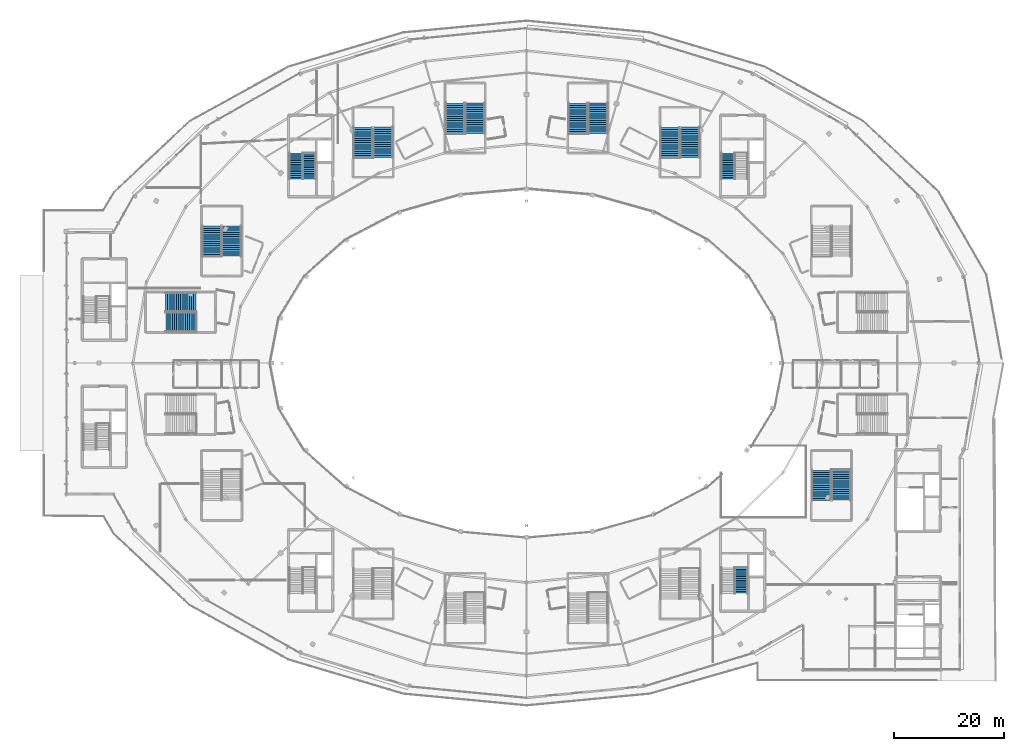
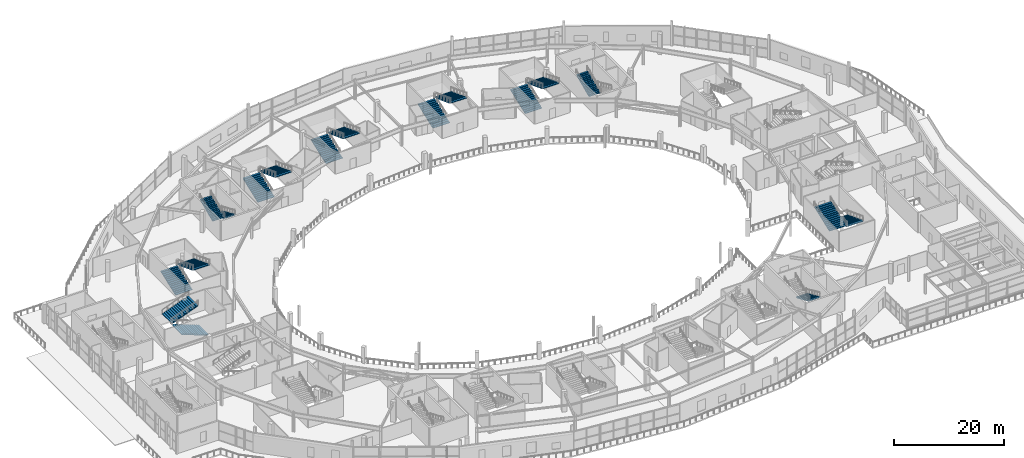
# One storey, part 96 of 123: 18 stair flights, 10 elements without a shape of their own.
"""IFC4 building model written with IfcOpenShell, lengths in metres."""

from ifc_helpers import new_model, si_unit, direction, frame, origin, place, context, subcontext, project, spatial, polyline, outline, extrude, material, type_object, element, aggregate, save


model = new_model("IFC4")

# Units and contexts
model_context = context("Model", 3, precision=1e-05, world=origin(), true_north=direction((0.0, 1.0)))
body_context = subcontext(model_context, "Body", "Model", "MODEL_VIEW")
ifc_project = project(units=[si_unit("LENGTHUNIT", "METRE"), si_unit("AREAUNIT", "SQUARE_METRE"), si_unit("VOLUMEUNIT", "CUBIC_METRE"), si_unit("PLANEANGLEUNIT", "RADIAN"), si_unit("MASSUNIT", "GRAM", prefix="KILO")], contexts=[model_context])

# Site, building, storey
site_placement = place(None, origin())
site = spatial("IfcSite", under=ifc_project, at=site_placement, CompositionType="ELEMENT")
building_placement = place(site_placement, origin())
building = spatial("IfcBuilding", under=site, at=building_placement, Name="Kalgoora Escarpment Arena", CompositionType="ELEMENT")
storey_placement = place(building_placement, frame((0.0, 0.0, 9.89990234375)))
storey = spatial("IfcBuildingStorey", under=building, at=storey_placement, Name="L02", CompositionType="ELEMENT", Elevation=9.89990234375)

# Stair, stair flight
ifc_material_1 = material(Name="Concrete N40 (fc' 40 MPa)", Category="concrete")
stair_type_1 = type_object("IfcStairType", Name="STR-EXIT-2", PredefinedType="HALF_TURN_STAIR", material=ifc_material_1)
stair_1_placement = place(storey_placement, origin())
stair_1 = element("IfcStair", 1, at=stair_1_placement, inside=storey, type_object=stair_type_1, Name="Fire-isolated exit stair ST06 (L02)", PredefinedType="HALF_TURN_STAIR")
ifc_material_2 = material(Name="Concrete N40 (fc' 40 MPa)", Category="concrete")
stair_flight_type_1 = type_object("IfcStairFlightType", Name="FLT-EXIT-2", PredefinedType="STRAIGHT", material=ifc_material_2)
stair_flight_1_placement = place(storey_placement, frame((131.5576171875, 26.72998046875, 0.0), z_axis=(0.0, 0.0, 1.0), x_axis=(0.0, -1.0, 0.0)))
stair_flight_1 = element("IfcStairFlight", 2, at=stair_flight_1_placement, type_object=stair_flight_type_1, Name="ST06 L02 lower flight", NumberOfRisers=15, NumberOfTreads=14, PredefinedType="STRAIGHT", RiserHeight=0.15, TreadLength=0.335, context=body_context, shape_type="SweptSolid", body=[
    extrude(outline(polyline([(0.0, 0.0), (0.0, 0.14990234375), (0.3349609375, 0.14990234375), (0.3349609375, 0.300048828125), (0.669921875, 0.300048828125), (0.669921875, 0.449951171875), (1.0048828125, 0.449951171875), (1.0048828125, 0.60009765625), (1.340087890625, 0.60009765625), (1.340087890625, 0.75), (1.675048828125, 0.75), (1.675048828125, 0.89990234375), (2.010009765625, 0.89990234375), (2.010009765625, 1.050048828125), (2.344970703125, 1.050048828125), (2.344970703125, 1.199951171875), (2.679931640625, 1.199951171875), (2.679931640625, 1.35009765625), (3.014892578125, 1.35009765625), (3.014892578125, 1.5), (3.35009765625, 1.5), (3.35009765625, 1.64990234375), (3.68505859375, 1.64990234375), (3.68505859375, 1.800048828125), (4.02001953125, 1.800048828125), (4.02001953125, 1.949951171875), (4.35498046875, 1.949951171875), (4.35498046875, 2.10009765625), (4.68994140625, 2.10009765625), (4.68994140625, 2.25), (4.68994140625, 1.913818359375), (0.415771484375, 0.0), (0.0, 0.0)])), frame((0.0, 1.1923828125, 0.0), z_axis=(0.0, -1.0, 0.0), x_axis=(1.0, 0.0, 0.0)), (0.0, 0.0, 1.0), 2.385009765625),
])
aggregate(stair_1, [stair_flight_1])

# Stair, stair flights
ifc_material_3 = material(Name="Concrete N40 (fc' 40 MPa)", Category="concrete")
stair_type_2 = type_object("IfcStairType", Name="STR-EXIT-3", PredefinedType="HALF_TURN_STAIR", material=ifc_material_3)
stair_2_placement = place(storey_placement, origin())
stair_2 = element("IfcStair", 3, at=stair_2_placement, inside=storey, type_object=stair_type_2, Name="Fire-isolated exit stair ST03 (L02)", PredefinedType="HALF_TURN_STAIR")
ifc_material_4 = material(Name="Concrete N40 (fc' 40 MPa)", Category="concrete")
stair_flight_type_2 = type_object("IfcStairFlightType", Name="FLT-EXIT-3", PredefinedType="STRAIGHT", material=ifc_material_4)
stair_flight_2_placement = place(storey_placement, frame((52.7548828125, 102.330078125, 0.0), z_axis=(0.0, 0.0, 1.0), x_axis=(0.0, -1.0, 0.0)))
stair_flight_2 = element("IfcStairFlight", 4, at=stair_flight_2_placement, type_object=stair_flight_type_2, Name="ST03 L02 lower flight", NumberOfRisers=15, NumberOfTreads=14, PredefinedType="STRAIGHT", RiserHeight=0.15, TreadLength=0.335, context=body_context, shape_type="SweptSolid", body=[
    extrude(outline(polyline([(0.0, 0.0), (0.0, 0.14990234375), (0.3349609375, 0.14990234375), (0.3349609375, 0.300048828125), (0.669921875, 0.300048828125), (0.669921875, 0.449951171875), (1.0048828125, 0.449951171875), (1.0048828125, 0.60009765625), (1.340087890625, 0.60009765625), (1.340087890625, 0.75), (1.675048828125, 0.75), (1.675048828125, 0.89990234375), (2.010009765625, 0.89990234375), (2.010009765625, 1.050048828125), (2.344970703125, 1.050048828125), (2.344970703125, 1.199951171875), (2.679931640625, 1.199951171875), (2.679931640625, 1.35009765625), (3.014892578125, 1.35009765625), (3.014892578125, 1.5), (3.35009765625, 1.5), (3.35009765625, 1.64990234375), (3.68505859375, 1.64990234375), (3.68505859375, 1.800048828125), (4.02001953125, 1.800048828125), (4.02001953125, 1.949951171875), (4.35498046875, 1.949951171875), (4.35498046875, 2.10009765625), (4.68994140625, 2.10009765625), (4.68994140625, 2.25), (4.68994140625, 1.913818359375), (0.415771484375, 0.0), (0.0, 0.0)])), frame((0.0, 1.19482421875, 0.0), z_axis=(0.0, -1.0, 0.0), x_axis=(1.0, 0.0, 0.0)), (0.0, 0.0, 1.0), 2.389892578125),
])
stair_flight_3_placement = place(storey_placement, frame((50.344970703125, 97.580078125, 2.25), z_axis=(0.0, 0.0, 1.0), x_axis=(0.0, 1.0, 0.0)))
stair_flight_3 = element("IfcStairFlight", 5, at=stair_flight_3_placement, type_object=stair_flight_type_2, Name="ST03 L02 upper flight", NumberOfRisers=15, NumberOfTreads=14, PredefinedType="STRAIGHT", RiserHeight=0.15, TreadLength=0.335, context=body_context, shape_type="SweptSolid", body=[
    extrude(outline(polyline([(0.0, 0.0), (0.0, 0.14990234375), (0.3349609375, 0.14990234375), (0.3349609375, 0.300048828125), (0.669921875, 0.300048828125), (0.669921875, 0.449951171875), (1.0048828125, 0.449951171875), (1.0048828125, 0.60009765625), (1.340087890625, 0.60009765625), (1.340087890625, 0.75), (1.675048828125, 0.75), (1.675048828125, 0.89990234375), (2.010009765625, 0.89990234375), (2.010009765625, 1.050048828125), (2.344970703125, 1.050048828125), (2.344970703125, 1.199951171875), (2.679931640625, 1.199951171875), (2.679931640625, 1.35009765625), (3.014892578125, 1.35009765625), (3.014892578125, 1.5), (3.35009765625, 1.5), (3.35009765625, 1.64990234375), (3.68505859375, 1.64990234375), (3.68505859375, 1.800048828125), (4.02001953125, 1.800048828125), (4.02001953125, 1.949951171875), (4.35498046875, 1.949951171875), (4.35498046875, 2.10009765625), (4.68994140625, 2.10009765625), (4.68994140625, 2.25), (4.68994140625, 1.913818359375), (0.415771484375, 0.0), (0.0, 0.0)])), frame((0.0, 1.19482421875, 0.0), z_axis=(0.0, -1.0, 0.0), x_axis=(1.0, 0.0, 0.0)), (0.0, 0.0, 1.0), 2.389892578125),
])
aggregate(stair_2, [stair_flight_2, stair_flight_3])

# Stair, stair flight
ifc_material_5 = material(Name="Concrete N40 (fc' 40 MPa)", Category="concrete")
stair_type_3 = type_object("IfcStairType", Name="STR-EXIT-4", PredefinedType="HALF_TURN_STAIR", material=ifc_material_5)
stair_3_placement = place(storey_placement, origin())
stair_3 = element("IfcStair", 6, at=stair_3_placement, inside=storey, type_object=stair_type_3, Name="Fire-isolated exit stair ST04 (L02)", PredefinedType="HALF_TURN_STAIR")
ifc_material_6 = material(Name="Concrete N40 (fc' 40 MPa)", Category="concrete")
stair_flight_type_3 = type_object("IfcStairFlightType", Name="FLT-EXIT-4", PredefinedType="STRAIGHT", material=ifc_material_6)
stair_flight_4_placement = place(storey_placement, frame((129.1474609375, 97.580078125, 2.25), z_axis=(0.0, 0.0, 1.0), x_axis=(0.0, 1.0, 0.0)))
stair_flight_4 = element("IfcStairFlight", 7, at=stair_flight_4_placement, type_object=stair_flight_type_3, Name="ST04 L02 upper flight", NumberOfRisers=15, NumberOfTreads=14, PredefinedType="STRAIGHT", RiserHeight=0.15, TreadLength=0.335, context=body_context, shape_type="SweptSolid", body=[
    extrude(outline(polyline([(0.0, 0.0), (0.0, 0.14990234375), (0.3349609375, 0.14990234375), (0.3349609375, 0.300048828125), (0.669921875, 0.300048828125), (0.669921875, 0.449951171875), (1.0048828125, 0.449951171875), (1.0048828125, 0.60009765625), (1.340087890625, 0.60009765625), (1.340087890625, 0.75), (1.675048828125, 0.75), (1.675048828125, 0.89990234375), (2.010009765625, 0.89990234375), (2.010009765625, 1.050048828125), (2.344970703125, 1.050048828125), (2.344970703125, 1.199951171875), (2.679931640625, 1.199951171875), (2.679931640625, 1.35009765625), (3.014892578125, 1.35009765625), (3.014892578125, 1.5), (3.35009765625, 1.5), (3.35009765625, 1.64990234375), (3.68505859375, 1.64990234375), (3.68505859375, 1.800048828125), (4.02001953125, 1.800048828125), (4.02001953125, 1.949951171875), (4.35498046875, 1.949951171875), (4.35498046875, 2.10009765625), (4.68994140625, 2.10009765625), (4.68994140625, 2.25), (4.68994140625, 1.913818359375), (0.415771484375, 0.0), (0.0, 0.0)])), frame((0.0, 1.197509765625, 0.0), z_axis=(0.0, -1.0, 0.0), x_axis=(1.0, 0.0, 0.0)), (0.0, 0.0, 1.0), 2.39501953125),
])
aggregate(stair_3, [stair_flight_4])

# Stair, stair flights
ifc_material_7 = material(Name="Precast concrete N50 (fc' 50 MPa)", Category="concrete")
stair_type_4 = type_object("IfcStairType", Name="STR-STAD-1", PredefinedType="HALF_TURN_STAIR", material=ifc_material_7)
stair_4_placement = place(storey_placement, origin())
stair_4 = element("IfcStair", 8, at=stair_4_placement, inside=storey, type_object=stair_type_4, Name="Fire-isolated exit stair ST09 (L02)", PredefinedType="HALF_TURN_STAIR")
ifc_material_8 = material(Name="Precast concrete N50 (fc' 50 MPa)", Category="concrete")
stair_flight_type_4 = type_object("IfcStairFlightType", Name="FLT-STAD-1", PredefinedType="STRAIGHT", material=ifc_material_8)
stair_flight_5_placement = place(storey_placement, frame((62.592529296875, 101.469970703125, 0.0), z_axis=(0.0, 0.0, 1.0), x_axis=(0.0, 1.0, 0.0)))
stair_flight_5 = element("IfcStairFlight", 9, at=stair_flight_5_placement, type_object=stair_flight_type_4, Name="ST09 L02 lower flight", NumberOfRisers=15, NumberOfTreads=14, PredefinedType="STRAIGHT", RiserHeight=0.15, TreadLength=0.395, context=body_context, shape_type="SweptSolid", body=[
    extrude(outline(polyline([(0.0, 0.0), (0.0, 0.14990234375), (0.39501953125, 0.14990234375), (0.39501953125, 0.300048828125), (0.7900390625, 0.300048828125), (0.7900390625, 0.449951171875), (1.18505859375, 0.449951171875), (1.18505859375, 0.60009765625), (1.580078125, 0.60009765625), (1.580078125, 0.75), (1.97509765625, 0.75), (1.97509765625, 0.89990234375), (2.3701171875, 0.89990234375), (2.3701171875, 1.050048828125), (2.764892578125, 1.050048828125), (2.764892578125, 1.199951171875), (3.159912109375, 1.199951171875), (3.159912109375, 1.35009765625), (3.554931640625, 1.35009765625), (3.554931640625, 1.5), (3.949951171875, 1.5), (3.949951171875, 1.64990234375), (4.344970703125, 1.64990234375), (4.344970703125, 1.800048828125), (4.739990234375, 1.800048828125), (4.739990234375, 1.949951171875), (5.135009765625, 1.949951171875), (5.135009765625, 2.10009765625), (5.530029296875, 2.10009765625), (5.530029296875, 2.25), (5.530029296875, 1.918212890625), (0.478759765625, 0.0), (0.0, 0.0)])), frame((0.0, 1.74267578125, 0.0), z_axis=(0.0, -1.0, 0.0), x_axis=(1.0, 0.0, 0.0)), (0.0, 0.0, 1.0), 3.485107421875),
])
stair_flight_6_placement = place(storey_placement, frame((66.20751953125, 107.06005859375, 2.25), z_axis=(0.0, 0.0, 1.0), x_axis=(0.0, -1.0, 0.0)))
stair_flight_6 = element("IfcStairFlight", 10, at=stair_flight_6_placement, type_object=stair_flight_type_4, Name="ST09 L02 upper flight", NumberOfRisers=15, NumberOfTreads=14, PredefinedType="STRAIGHT", RiserHeight=0.15, TreadLength=0.395, context=body_context, shape_type="SweptSolid", body=[
    extrude(outline(polyline([(0.0, 0.0), (0.0, 0.14990234375), (0.39501953125, 0.14990234375), (0.39501953125, 0.300048828125), (0.7900390625, 0.300048828125), (0.7900390625, 0.449951171875), (1.18505859375, 0.449951171875), (1.18505859375, 0.60009765625), (1.580078125, 0.60009765625), (1.580078125, 0.75), (1.97509765625, 0.75), (1.97509765625, 0.89990234375), (2.3701171875, 0.89990234375), (2.3701171875, 1.050048828125), (2.764892578125, 1.050048828125), (2.764892578125, 1.199951171875), (3.159912109375, 1.199951171875), (3.159912109375, 1.35009765625), (3.554931640625, 1.35009765625), (3.554931640625, 1.5), (3.949951171875, 1.5), (3.949951171875, 1.64990234375), (4.344970703125, 1.64990234375), (4.344970703125, 1.800048828125), (4.739990234375, 1.800048828125), (4.739990234375, 1.949951171875), (5.135009765625, 1.949951171875), (5.135009765625, 2.10009765625), (5.530029296875, 2.10009765625), (5.530029296875, 2.25), (5.530029296875, 1.918212890625), (0.478759765625, 0.0), (0.0, 0.0)])), frame((0.0, 1.74267578125, 0.0), z_axis=(0.0, -1.0, 0.0), x_axis=(1.0, 0.0, 0.0)), (0.0, 0.0, 1.0), 3.485107421875),
])
aggregate(stair_4, [stair_flight_5, stair_flight_6])

stair_5_placement = place(storey_placement, origin())
stair_5 = element("IfcStair", 11, at=stair_5_placement, inside=storey, type_object=stair_type_4, Name="Fire-isolated exit stair ST17 (L02)", PredefinedType="HALF_TURN_STAIR")
stair_flight_7_placement = place(storey_placement, frame((32.1298828125, 71.492431640625, 0.0), z_axis=(0.0, 0.0, 1.0), x_axis=(-1.0, 0.0, 0.0)))
stair_flight_7 = element("IfcStairFlight", 12, at=stair_flight_7_placement, type_object=stair_flight_type_4, Name="ST17 L02 lower flight", NumberOfRisers=15, NumberOfTreads=14, PredefinedType="STRAIGHT", RiserHeight=0.15, TreadLength=0.395, context=body_context, shape_type="SweptSolid", body=[
    extrude(outline(polyline([(0.0, 0.0), (0.0, 0.14990234375), (0.39501953125, 0.14990234375), (0.39501953125, 0.300048828125), (0.7900390625, 0.300048828125), (0.7900390625, 0.449951171875), (1.18505859375, 0.449951171875), (1.18505859375, 0.60009765625), (1.580078125, 0.60009765625), (1.580078125, 0.75), (1.97509765625, 0.75), (1.97509765625, 0.89990234375), (2.3701171875, 0.89990234375), (2.3701171875, 1.050048828125), (2.764892578125, 1.050048828125), (2.764892578125, 1.199951171875), (3.159912109375, 1.199951171875), (3.159912109375, 1.35009765625), (3.554931640625, 1.35009765625), (3.554931640625, 1.5), (3.949951171875, 1.5), (3.949951171875, 1.64990234375), (4.344970703125, 1.64990234375), (4.344970703125, 1.800048828125), (4.739990234375, 1.800048828125), (4.739990234375, 1.949951171875), (5.135009765625, 1.949951171875), (5.135009765625, 2.10009765625), (5.530029296875, 2.10009765625), (5.530029296875, 2.25), (5.530029296875, 1.918212890625), (0.478759765625, 0.0), (0.0, 0.0)])), frame((0.0, 1.74267578125, 0.0), z_axis=(0.0, -1.0, 0.0), x_axis=(1.0, 0.0, 0.0)), (0.0, 0.0, 1.0), 3.485107421875),
])
stair_flight_8_placement = place(storey_placement, frame((26.5400390625, 75.107421875, 2.25), z_axis=(0.0, 0.0, 1.0), x_axis=(1.0, 0.0, 0.0)))
stair_flight_8 = element("IfcStairFlight", 13, at=stair_flight_8_placement, type_object=stair_flight_type_4, Name="ST17 L02 upper flight", NumberOfRisers=15, NumberOfTreads=14, PredefinedType="STRAIGHT", RiserHeight=0.15, TreadLength=0.395, context=body_context, shape_type="SweptSolid", body=[
    extrude(outline(polyline([(0.0, 0.0), (0.0, 0.14990234375), (0.39501953125, 0.14990234375), (0.39501953125, 0.300048828125), (0.7900390625, 0.300048828125), (0.7900390625, 0.449951171875), (1.18505859375, 0.449951171875), (1.18505859375, 0.60009765625), (1.580078125, 0.60009765625), (1.580078125, 0.75), (1.97509765625, 0.75), (1.97509765625, 0.89990234375), (2.3701171875, 0.89990234375), (2.3701171875, 1.050048828125), (2.764892578125, 1.050048828125), (2.764892578125, 1.199951171875), (3.159912109375, 1.199951171875), (3.159912109375, 1.35009765625), (3.554931640625, 1.35009765625), (3.554931640625, 1.5), (3.949951171875, 1.5), (3.949951171875, 1.64990234375), (4.344970703125, 1.64990234375), (4.344970703125, 1.800048828125), (4.739990234375, 1.800048828125), (4.739990234375, 1.949951171875), (5.135009765625, 1.949951171875), (5.135009765625, 2.10009765625), (5.530029296875, 2.10009765625), (5.530029296875, 2.25), (5.530029296875, 1.918212890625), (0.478759765625, 0.0), (0.0, 0.0)])), frame((0.0, 1.74267578125, 0.0), z_axis=(0.0, -1.0, 0.0), x_axis=(1.0, 0.0, 0.0)), (0.0, 0.0, 1.0), 3.485107421875),
])
aggregate(stair_5, [stair_flight_7, stair_flight_8])

ifc_material_9 = material(Name="Precast concrete N50 (fc' 50 MPa)", Category="concrete")
stair_type_5 = type_object("IfcStairType", Name="STR-STAD-2", PredefinedType="HALF_TURN_STAIR", material=ifc_material_9)
stair_6_placement = place(storey_placement, origin())
stair_6 = element("IfcStair", 14, at=stair_6_placement, inside=storey, type_object=stair_type_5, Name="Fire-isolated exit stair ST10 (L02)", PredefinedType="HALF_TURN_STAIR")
ifc_material_10 = material(Name="Precast concrete N50 (fc' 50 MPa)", Category="concrete")
stair_flight_type_5 = type_object("IfcStairFlightType", Name="FLT-STAD-2", PredefinedType="STRAIGHT", material=ifc_material_10)
stair_flight_9_placement = place(storey_placement, frame((79.39501953125, 105.8701171875, 0.0), z_axis=(0.0, 0.0, 1.0), x_axis=(0.0, 1.0, 0.0)))
stair_flight_9 = element("IfcStairFlight", 15, at=stair_flight_9_placement, type_object=stair_flight_type_5, Name="ST10 L02 lower flight", NumberOfRisers=15, NumberOfTreads=14, PredefinedType="STRAIGHT", RiserHeight=0.15, TreadLength=0.395, context=body_context, shape_type="SweptSolid", body=[
    extrude(outline(polyline([(0.0, 0.0), (0.0, 0.14990234375), (0.39501953125, 0.14990234375), (0.39501953125, 0.300048828125), (0.7900390625, 0.300048828125), (0.7900390625, 0.449951171875), (1.18505859375, 0.449951171875), (1.18505859375, 0.60009765625), (1.580078125, 0.60009765625), (1.580078125, 0.75), (1.97509765625, 0.75), (1.97509765625, 0.89990234375), (2.3701171875, 0.89990234375), (2.3701171875, 1.050048828125), (2.764892578125, 1.050048828125), (2.764892578125, 1.199951171875), (3.159912109375, 1.199951171875), (3.159912109375, 1.35009765625), (3.554931640625, 1.35009765625), (3.554931640625, 1.5), (3.949951171875, 1.5), (3.949951171875, 1.64990234375), (4.344970703125, 1.64990234375), (4.344970703125, 1.800048828125), (4.739990234375, 1.800048828125), (4.739990234375, 1.949951171875), (5.135009765625, 1.949951171875), (5.135009765625, 2.10009765625), (5.530029296875, 2.10009765625), (5.530029296875, 2.25), (5.530029296875, 1.918212890625), (0.478759765625, 0.0), (0.0, 0.0)])), frame((0.0, 1.7451171875, 0.0), z_axis=(0.0, -1.0, 0.0), x_axis=(1.0, 0.0, 0.0)), (0.0, 0.0, 1.0), 3.489990234375),
])
stair_flight_10_placement = place(storey_placement, frame((83.0048828125, 111.4599609375, 2.25), z_axis=(0.0, 0.0, 1.0), x_axis=(0.0, -1.0, 0.0)))
stair_flight_10 = element("IfcStairFlight", 16, at=stair_flight_10_placement, type_object=stair_flight_type_5, Name="ST10 L02 upper flight", NumberOfRisers=15, NumberOfTreads=14, PredefinedType="STRAIGHT", RiserHeight=0.15, TreadLength=0.395, context=body_context, shape_type="SweptSolid", body=[
    extrude(outline(polyline([(0.0, 0.0), (0.0, 0.14990234375), (0.39501953125, 0.14990234375), (0.39501953125, 0.300048828125), (0.7900390625, 0.300048828125), (0.7900390625, 0.449951171875), (1.18505859375, 0.449951171875), (1.18505859375, 0.60009765625), (1.580078125, 0.60009765625), (1.580078125, 0.75), (1.97509765625, 0.75), (1.97509765625, 0.89990234375), (2.3701171875, 0.89990234375), (2.3701171875, 1.050048828125), (2.764892578125, 1.050048828125), (2.764892578125, 1.199951171875), (3.159912109375, 1.199951171875), (3.159912109375, 1.35009765625), (3.554931640625, 1.35009765625), (3.554931640625, 1.5), (3.949951171875, 1.5), (3.949951171875, 1.64990234375), (4.344970703125, 1.64990234375), (4.344970703125, 1.800048828125), (4.739990234375, 1.800048828125), (4.739990234375, 1.949951171875), (5.135009765625, 1.949951171875), (5.135009765625, 2.10009765625), (5.530029296875, 2.10009765625), (5.530029296875, 2.25), (5.530029296875, 1.918212890625), (0.478759765625, 0.0), (0.0, 0.0)])), frame((0.0, 1.7451171875, 0.0), z_axis=(0.0, -1.0, 0.0), x_axis=(1.0, 0.0, 0.0)), (0.0, 0.0, 1.0), 3.489990234375),
])
aggregate(stair_6, [stair_flight_9, stair_flight_10])

ifc_material_11 = material(Name="Precast concrete N50 (fc' 50 MPa)", Category="concrete")
stair_type_6 = type_object("IfcStairType", Name="STR-STAD-3", PredefinedType="HALF_TURN_STAIR", material=ifc_material_11)
stair_7_placement = place(storey_placement, origin())
stair_7 = element("IfcStair", 17, at=stair_7_placement, inside=storey, type_object=stair_type_6, Name="Fire-isolated exit stair ST11 (L02)", PredefinedType="HALF_TURN_STAIR")
ifc_material_12 = material(Name="Precast concrete N50 (fc' 50 MPa)", Category="concrete")
stair_flight_type_6 = type_object("IfcStairFlightType", Name="FLT-STAD-3", PredefinedType="STRAIGHT", material=ifc_material_12)
stair_flight_11_placement = place(storey_placement, frame((101.797607421875, 105.8701171875, 0.0), z_axis=(0.0, 0.0, 1.0), x_axis=(0.0, 1.0, 0.0)))
stair_flight_11 = element("IfcStairFlight", 18, at=stair_flight_11_placement, type_object=stair_flight_type_6, Name="ST11 L02 lower flight", NumberOfRisers=15, NumberOfTreads=14, PredefinedType="STRAIGHT", RiserHeight=0.15, TreadLength=0.395, context=body_context, shape_type="SweptSolid", body=[
    extrude(outline(polyline([(0.0, 0.0), (0.0, 0.14990234375), (0.39501953125, 0.14990234375), (0.39501953125, 0.300048828125), (0.7900390625, 0.300048828125), (0.7900390625, 0.449951171875), (1.18505859375, 0.449951171875), (1.18505859375, 0.60009765625), (1.580078125, 0.60009765625), (1.580078125, 0.75), (1.97509765625, 0.75), (1.97509765625, 0.89990234375), (2.3701171875, 0.89990234375), (2.3701171875, 1.050048828125), (2.764892578125, 1.050048828125), (2.764892578125, 1.199951171875), (3.159912109375, 1.199951171875), (3.159912109375, 1.35009765625), (3.554931640625, 1.35009765625), (3.554931640625, 1.5), (3.949951171875, 1.5), (3.949951171875, 1.64990234375), (4.344970703125, 1.64990234375), (4.344970703125, 1.800048828125), (4.739990234375, 1.800048828125), (4.739990234375, 1.949951171875), (5.135009765625, 1.949951171875), (5.135009765625, 2.10009765625), (5.530029296875, 2.10009765625), (5.530029296875, 2.25), (5.530029296875, 1.918212890625), (0.478759765625, 0.0), (0.0, 0.0)])), frame((0.0, 1.74755859375, 0.0), z_axis=(0.0, -1.0, 0.0), x_axis=(1.0, 0.0, 0.0)), (0.0, 0.0, 1.0), 3.4951171875),
])
stair_flight_12_placement = place(storey_placement, frame((105.402587890625, 111.4599609375, 2.25), z_axis=(0.0, 0.0, 1.0), x_axis=(0.0, -1.0, 0.0)))
stair_flight_12 = element("IfcStairFlight", 19, at=stair_flight_12_placement, type_object=stair_flight_type_6, Name="ST11 L02 upper flight", NumberOfRisers=15, NumberOfTreads=14, PredefinedType="STRAIGHT", RiserHeight=0.15, TreadLength=0.395, context=body_context, shape_type="SweptSolid", body=[
    extrude(outline(polyline([(0.0, 0.0), (0.0, 0.14990234375), (0.39501953125, 0.14990234375), (0.39501953125, 0.300048828125), (0.7900390625, 0.300048828125), (0.7900390625, 0.449951171875), (1.18505859375, 0.449951171875), (1.18505859375, 0.60009765625), (1.580078125, 0.60009765625), (1.580078125, 0.75), (1.97509765625, 0.75), (1.97509765625, 0.89990234375), (2.3701171875, 0.89990234375), (2.3701171875, 1.050048828125), (2.764892578125, 1.050048828125), (2.764892578125, 1.199951171875), (3.159912109375, 1.199951171875), (3.159912109375, 1.35009765625), (3.554931640625, 1.35009765625), (3.554931640625, 1.5), (3.949951171875, 1.5), (3.949951171875, 1.64990234375), (4.344970703125, 1.64990234375), (4.344970703125, 1.800048828125), (4.739990234375, 1.800048828125), (4.739990234375, 1.949951171875), (5.135009765625, 1.949951171875), (5.135009765625, 2.10009765625), (5.530029296875, 2.10009765625), (5.530029296875, 2.25), (5.530029296875, 1.918212890625), (0.478759765625, 0.0), (0.0, 0.0)])), frame((0.0, 1.74755859375, 0.0), z_axis=(0.0, -1.0, 0.0), x_axis=(1.0, 0.0, 0.0)), (0.0, 0.0, 1.0), 3.4951171875),
])
aggregate(stair_7, [stair_flight_11, stair_flight_12])

stair_8_placement = place(storey_placement, origin())
stair_8 = element("IfcStair", 20, at=stair_8_placement, inside=storey, type_object=stair_type_6, Name="Fire-isolated exit stair ST19 (L02)", PredefinedType="HALF_TURN_STAIR")
stair_flight_13_placement = place(storey_placement, frame((34.99755859375, 83.469970703125, 0.0), z_axis=(0.0, 0.0, 1.0), x_axis=(0.0, 1.0, 0.0)))
stair_flight_13 = element("IfcStairFlight", 21, at=stair_flight_13_placement, type_object=stair_flight_type_6, Name="ST19 L02 lower flight", NumberOfRisers=15, NumberOfTreads=14, PredefinedType="STRAIGHT", RiserHeight=0.15, TreadLength=0.395, context=body_context, shape_type="SweptSolid", body=[
    extrude(outline(polyline([(0.0, 0.0), (0.0, 0.14990234375), (0.39501953125, 0.14990234375), (0.39501953125, 0.300048828125), (0.7900390625, 0.300048828125), (0.7900390625, 0.449951171875), (1.18505859375, 0.449951171875), (1.18505859375, 0.60009765625), (1.580078125, 0.60009765625), (1.580078125, 0.75), (1.97509765625, 0.75), (1.97509765625, 0.89990234375), (2.3701171875, 0.89990234375), (2.3701171875, 1.050048828125), (2.764892578125, 1.050048828125), (2.764892578125, 1.199951171875), (3.159912109375, 1.199951171875), (3.159912109375, 1.35009765625), (3.554931640625, 1.35009765625), (3.554931640625, 1.5), (3.949951171875, 1.5), (3.949951171875, 1.64990234375), (4.344970703125, 1.64990234375), (4.344970703125, 1.800048828125), (4.739990234375, 1.800048828125), (4.739990234375, 1.949951171875), (5.135009765625, 1.949951171875), (5.135009765625, 2.10009765625), (5.530029296875, 2.10009765625), (5.530029296875, 2.25), (5.530029296875, 1.918212890625), (0.478759765625, 0.0), (0.0, 0.0)])), frame((0.0, 1.74755859375, 0.0), z_axis=(0.0, -1.0, 0.0), x_axis=(1.0, 0.0, 0.0)), (0.0, 0.0, 1.0), 3.4951171875),
])
stair_flight_14_placement = place(storey_placement, frame((38.6025390625, 89.06005859375, 2.25), z_axis=(0.0, 0.0, 1.0), x_axis=(0.0, -1.0, 0.0)))
stair_flight_14 = element("IfcStairFlight", 22, at=stair_flight_14_placement, type_object=stair_flight_type_6, Name="ST19 L02 upper flight", NumberOfRisers=15, NumberOfTreads=14, PredefinedType="STRAIGHT", RiserHeight=0.15, TreadLength=0.395, context=body_context, shape_type="SweptSolid", body=[
    extrude(outline(polyline([(0.0, 0.0), (0.0, 0.14990234375), (0.39501953125, 0.14990234375), (0.39501953125, 0.300048828125), (0.7900390625, 0.300048828125), (0.7900390625, 0.449951171875), (1.18505859375, 0.449951171875), (1.18505859375, 0.60009765625), (1.580078125, 0.60009765625), (1.580078125, 0.75), (1.97509765625, 0.75), (1.97509765625, 0.89990234375), (2.3701171875, 0.89990234375), (2.3701171875, 1.050048828125), (2.764892578125, 1.050048828125), (2.764892578125, 1.199951171875), (3.159912109375, 1.199951171875), (3.159912109375, 1.35009765625), (3.554931640625, 1.35009765625), (3.554931640625, 1.5), (3.949951171875, 1.5), (3.949951171875, 1.64990234375), (4.344970703125, 1.64990234375), (4.344970703125, 1.800048828125), (4.739990234375, 1.800048828125), (4.739990234375, 1.949951171875), (5.135009765625, 1.949951171875), (5.135009765625, 2.10009765625), (5.530029296875, 2.10009765625), (5.530029296875, 2.25), (5.530029296875, 1.918212890625), (0.478759765625, 0.0), (0.0, 0.0)])), frame((0.0, 1.74755859375, 0.0), z_axis=(0.0, -1.0, 0.0), x_axis=(1.0, 0.0, 0.0)), (0.0, 0.0, 1.0), 3.4951171875),
])
aggregate(stair_8, [stair_flight_13, stair_flight_14])

ifc_material_13 = material(Name="Precast concrete N50 (fc' 50 MPa)", Category="concrete")
stair_type_7 = type_object("IfcStairType", Name="STR-STAD-4", PredefinedType="HALF_TURN_STAIR", material=ifc_material_13)
stair_9_placement = place(storey_placement, origin())
stair_9 = element("IfcStair", 23, at=stair_9_placement, inside=storey, type_object=stair_type_7, Name="Fire-isolated exit stair ST12 (L02)", PredefinedType="HALF_TURN_STAIR")
ifc_material_14 = material(Name="Precast concrete N50 (fc' 50 MPa)", Category="concrete")
stair_flight_type_7 = type_object("IfcStairFlightType", Name="FLT-STAD-4", PredefinedType="STRAIGHT", material=ifc_material_14)
stair_flight_15_placement = place(storey_placement, frame((118.60009765625, 101.469970703125, 0.0), z_axis=(0.0, 0.0, 1.0), x_axis=(0.0, 1.0, 0.0)))
stair_flight_15 = element("IfcStairFlight", 24, at=stair_flight_15_placement, type_object=stair_flight_type_7, Name="ST12 L02 lower flight", NumberOfRisers=15, NumberOfTreads=14, PredefinedType="STRAIGHT", RiserHeight=0.15, TreadLength=0.395, context=body_context, shape_type="SweptSolid", body=[
    extrude(outline(polyline([(0.0, 0.0), (0.0, 0.14990234375), (0.39501953125, 0.14990234375), (0.39501953125, 0.300048828125), (0.7900390625, 0.300048828125), (0.7900390625, 0.449951171875), (1.18505859375, 0.449951171875), (1.18505859375, 0.60009765625), (1.580078125, 0.60009765625), (1.580078125, 0.75), (1.97509765625, 0.75), (1.97509765625, 0.89990234375), (2.3701171875, 0.89990234375), (2.3701171875, 1.050048828125), (2.764892578125, 1.050048828125), (2.764892578125, 1.199951171875), (3.159912109375, 1.199951171875), (3.159912109375, 1.35009765625), (3.554931640625, 1.35009765625), (3.554931640625, 1.5), (3.949951171875, 1.5), (3.949951171875, 1.64990234375), (4.344970703125, 1.64990234375), (4.344970703125, 1.800048828125), (4.739990234375, 1.800048828125), (4.739990234375, 1.949951171875), (5.135009765625, 1.949951171875), (5.135009765625, 2.10009765625), (5.530029296875, 2.10009765625), (5.530029296875, 2.25), (5.530029296875, 1.918212890625), (0.478759765625, 0.0), (0.0, 0.0)])), frame((0.0, 1.75, 0.0), z_axis=(0.0, -1.0, 0.0), x_axis=(1.0, 0.0, 0.0)), (0.0, 0.0, 1.0), 3.5),
])
stair_flight_16_placement = place(storey_placement, frame((122.199951171875, 107.06005859375, 2.25), z_axis=(0.0, 0.0, 1.0), x_axis=(0.0, -1.0, 0.0)))
stair_flight_16 = element("IfcStairFlight", 25, at=stair_flight_16_placement, type_object=stair_flight_type_7, Name="ST12 L02 upper flight", NumberOfRisers=15, NumberOfTreads=14, PredefinedType="STRAIGHT", RiserHeight=0.15, TreadLength=0.395, context=body_context, shape_type="SweptSolid", body=[
    extrude(outline(polyline([(0.0, 0.0), (0.0, 0.14990234375), (0.39501953125, 0.14990234375), (0.39501953125, 0.300048828125), (0.7900390625, 0.300048828125), (0.7900390625, 0.449951171875), (1.18505859375, 0.449951171875), (1.18505859375, 0.60009765625), (1.580078125, 0.60009765625), (1.580078125, 0.75), (1.97509765625, 0.75), (1.97509765625, 0.89990234375), (2.3701171875, 0.89990234375), (2.3701171875, 1.050048828125), (2.764892578125, 1.050048828125), (2.764892578125, 1.199951171875), (3.159912109375, 1.199951171875), (3.159912109375, 1.35009765625), (3.554931640625, 1.35009765625), (3.554931640625, 1.5), (3.949951171875, 1.5), (3.949951171875, 1.64990234375), (4.344970703125, 1.64990234375), (4.344970703125, 1.800048828125), (4.739990234375, 1.800048828125), (4.739990234375, 1.949951171875), (5.135009765625, 1.949951171875), (5.135009765625, 2.10009765625), (5.530029296875, 2.10009765625), (5.530029296875, 2.25), (5.530029296875, 1.918212890625), (0.478759765625, 0.0), (0.0, 0.0)])), frame((0.0, 1.75, 0.0), z_axis=(0.0, -1.0, 0.0), x_axis=(1.0, 0.0, 0.0)), (0.0, 0.0, 1.0), 3.5),
])
aggregate(stair_9, [stair_flight_15, stair_flight_16])

stair_10_placement = place(storey_placement, origin())
stair_10 = element("IfcStair", 26, at=stair_10_placement, inside=storey, type_object=stair_type_7, Name="Fire-isolated exit stair ST24 (L02)", PredefinedType="HALF_TURN_STAIR")
stair_flight_17_placement = place(storey_placement, frame((149.800048828125, 44.530029296875, 0.0), z_axis=(0.0, 0.0, 1.0), x_axis=(0.0, -1.0, 0.0)))
stair_flight_17 = element("IfcStairFlight", 27, at=stair_flight_17_placement, type_object=stair_flight_type_7, Name="ST24 L02 lower flight", NumberOfRisers=15, NumberOfTreads=14, PredefinedType="STRAIGHT", RiserHeight=0.15, TreadLength=0.395, context=body_context, shape_type="SweptSolid", body=[
    extrude(outline(polyline([(0.0, 0.0), (0.0, 0.14990234375), (0.39501953125, 0.14990234375), (0.39501953125, 0.300048828125), (0.7900390625, 0.300048828125), (0.7900390625, 0.449951171875), (1.18505859375, 0.449951171875), (1.18505859375, 0.60009765625), (1.580078125, 0.60009765625), (1.580078125, 0.75), (1.97509765625, 0.75), (1.97509765625, 0.89990234375), (2.3701171875, 0.89990234375), (2.3701171875, 1.050048828125), (2.764892578125, 1.050048828125), (2.764892578125, 1.199951171875), (3.159912109375, 1.199951171875), (3.159912109375, 1.35009765625), (3.554931640625, 1.35009765625), (3.554931640625, 1.5), (3.949951171875, 1.5), (3.949951171875, 1.64990234375), (4.344970703125, 1.64990234375), (4.344970703125, 1.800048828125), (4.739990234375, 1.800048828125), (4.739990234375, 1.949951171875), (5.135009765625, 1.949951171875), (5.135009765625, 2.10009765625), (5.530029296875, 2.10009765625), (5.530029296875, 2.25), (5.530029296875, 1.918212890625), (0.478759765625, 0.0), (0.0, 0.0)])), frame((0.0, 1.75, 0.0), z_axis=(0.0, -1.0, 0.0), x_axis=(1.0, 0.0, 0.0)), (0.0, 0.0, 1.0), 3.5),
])
stair_flight_18_placement = place(storey_placement, frame((146.199951171875, 38.93994140625, 2.25), z_axis=(0.0, 0.0, 1.0), x_axis=(0.0, 1.0, 0.0)))
stair_flight_18 = element("IfcStairFlight", 28, at=stair_flight_18_placement, type_object=stair_flight_type_7, Name="ST24 L02 upper flight", NumberOfRisers=15, NumberOfTreads=14, PredefinedType="STRAIGHT", RiserHeight=0.15, TreadLength=0.395, context=body_context, shape_type="SweptSolid", body=[
    extrude(outline(polyline([(0.0, 0.0), (0.0, 0.14990234375), (0.39501953125, 0.14990234375), (0.39501953125, 0.300048828125), (0.7900390625, 0.300048828125), (0.7900390625, 0.449951171875), (1.18505859375, 0.449951171875), (1.18505859375, 0.60009765625), (1.580078125, 0.60009765625), (1.580078125, 0.75), (1.97509765625, 0.75), (1.97509765625, 0.89990234375), (2.3701171875, 0.89990234375), (2.3701171875, 1.050048828125), (2.764892578125, 1.050048828125), (2.764892578125, 1.199951171875), (3.159912109375, 1.199951171875), (3.159912109375, 1.35009765625), (3.554931640625, 1.35009765625), (3.554931640625, 1.5), (3.949951171875, 1.5), (3.949951171875, 1.64990234375), (4.344970703125, 1.64990234375), (4.344970703125, 1.800048828125), (4.739990234375, 1.800048828125), (4.739990234375, 1.949951171875), (5.135009765625, 1.949951171875), (5.135009765625, 2.10009765625), (5.530029296875, 2.10009765625), (5.530029296875, 2.25), (5.530029296875, 1.918212890625), (0.478759765625, 0.0), (0.0, 0.0)])), frame((0.0, 1.75, 0.0), z_axis=(0.0, -1.0, 0.0), x_axis=(1.0, 0.0, 0.0)), (0.0, 0.0, 1.0), 3.5),
])
aggregate(stair_10, [stair_flight_17, stair_flight_18])

save(model, "model.ifc")
